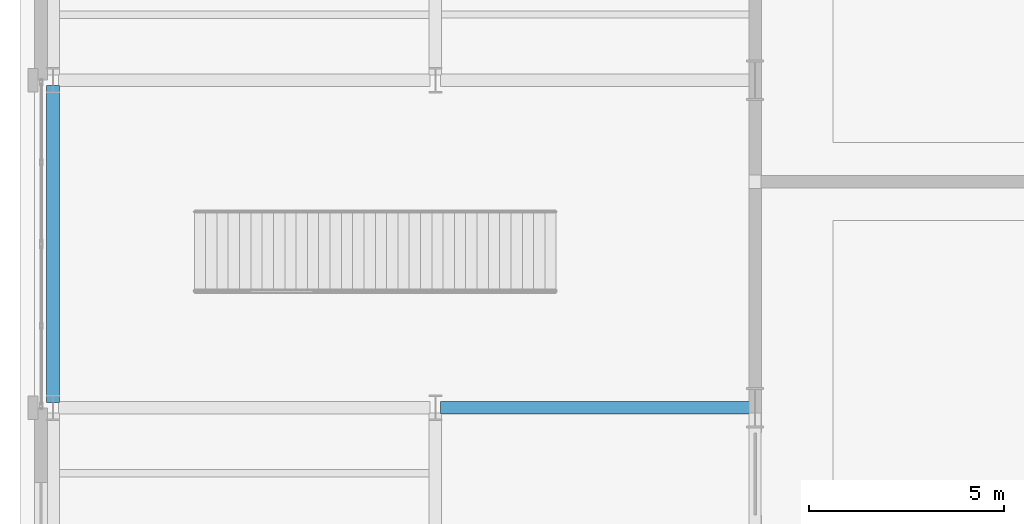
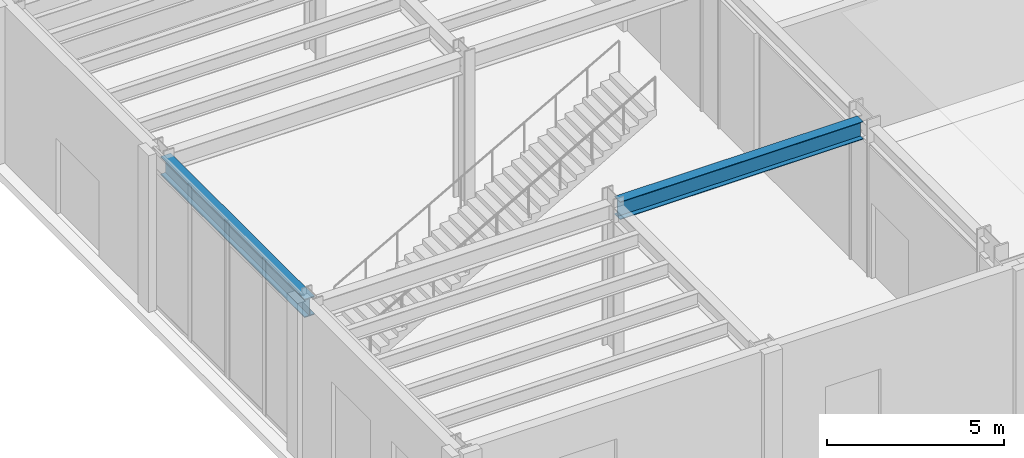
# One storey, part 18 of 94: 2 beams.
"""IFC4 building model written with IfcOpenShell, lengths in metres."""

from ifc_helpers import new_model, si_unit, direction, frame, origin, origin_2d, place, context, subcontext, project, spatial, i_section, extrude, material, material_profile, profile_set, type_object, element, save


model = new_model("IFC4")

# Units and contexts
model_context = context("Model", 3, precision=1e-05, world=origin(), true_north=direction((0.0, 1.0)))
body_context = subcontext(model_context, "Body", "Model", "MODEL_VIEW")
ifc_project = project(units=[si_unit("LENGTHUNIT", "METRE"), si_unit("AREAUNIT", "SQUARE_METRE"), si_unit("VOLUMEUNIT", "CUBIC_METRE"), si_unit("PLANEANGLEUNIT", "RADIAN"), si_unit("MASSUNIT", "GRAM", prefix="KILO")], contexts=[model_context])

# Site, building, storey
site_placement = place(None, origin())
site = spatial("IfcSite", under=ifc_project, at=site_placement, CompositionType="ELEMENT")
building_placement = place(site_placement, origin())
building = spatial("IfcBuilding", under=site, at=building_placement, Name="Sollismere Congress Hotel", CompositionType="ELEMENT")
storey_placement = place(building_placement, origin())
storey = spatial("IfcBuildingStorey", under=building, at=storey_placement, Name="L00", CompositionType="ELEMENT", Elevation=0.0)

# Beams
ifc_material = material(Name="Steel ASTM A992 Grade 50", Category="steel")
ifc_material_profile_1 = material_profile(ifc_material, i_section(OverallWidth=0.324951171875, OverallDepth=0.612060546875, WebThickness=0.0126953125, FlangeThickness=0.01904296875, at=origin_2d()), Name="W24X104")
ifc_profile_set_1 = profile_set([ifc_material_profile_1], Name="Steel ASTM A992 Grade 50")
beam_type_1 = type_object("IfcBeamType", Name="BM-G24", PredefinedType="BEAM", material=ifc_profile_set_1)
beam_1_placement = place(storey_placement, frame((9.93994140625, 33.199951171875, 4.80908203125), z_axis=(1.0, 0.0, 0.0), x_axis=(0.0, 1.0, 0.0)))
element("IfcBeam", 1, at=beam_1_placement, inside=storey, type_object=beam_type_1, Name="Beam BM-L00-1166", PredefinedType="BEAM", context=body_context, shape_type="SweptSolid", body=[
    extrude(i_section(OverallWidth=0.324951171875, OverallDepth=0.612060546875, WebThickness=0.0126953125, FlangeThickness=0.01904296875, at=origin_2d()), origin(), (0.0, 0.0, 1.0), 7.920166015625),
])
ifc_material_profile_2 = material_profile(ifc_material, i_section(OverallWidth=0.330078125, OverallDepth=0.635009765625, WebThickness=0.017822265625, FlangeThickness=0.031005859375, at=origin_2d()), Name="W24X162")
ifc_profile_set_2 = profile_set([ifc_material_profile_2], Name="Steel ASTM A992 Grade 50")
beam_type_2 = type_object("IfcBeamType", Name="BM-SP24E", PredefinedType="SPANDREL", material=ifc_profile_set_2)
beam_2_placement = place(storey_placement, frame((0.0, 33.340087890625, 4.797607421875), z_axis=(0.0, 1.0, 0.0), x_axis=(-1.0, 0.0, 0.0)))
element("IfcBeam", 2, at=beam_2_placement, inside=storey, type_object=beam_type_2, Name="Beam BM-L00-1224", PredefinedType="SPANDREL", context=body_context, shape_type="SweptSolid", body=[
    extrude(i_section(OverallWidth=0.330078125, OverallDepth=0.635009765625, WebThickness=0.017822265625, FlangeThickness=0.031005859375, at=origin_2d()), origin(), (0.0, 0.0, 1.0), 8.119873046875),
])

save(model, "model.ifc")
